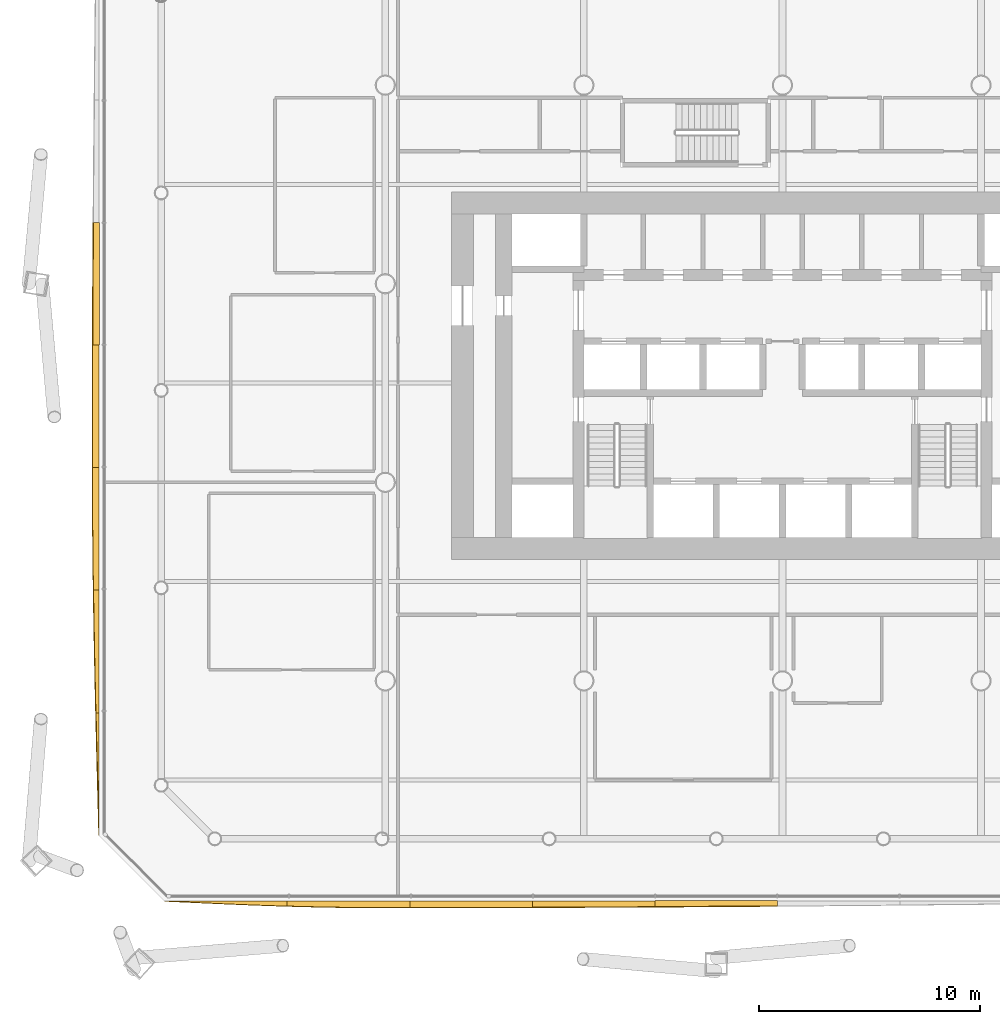
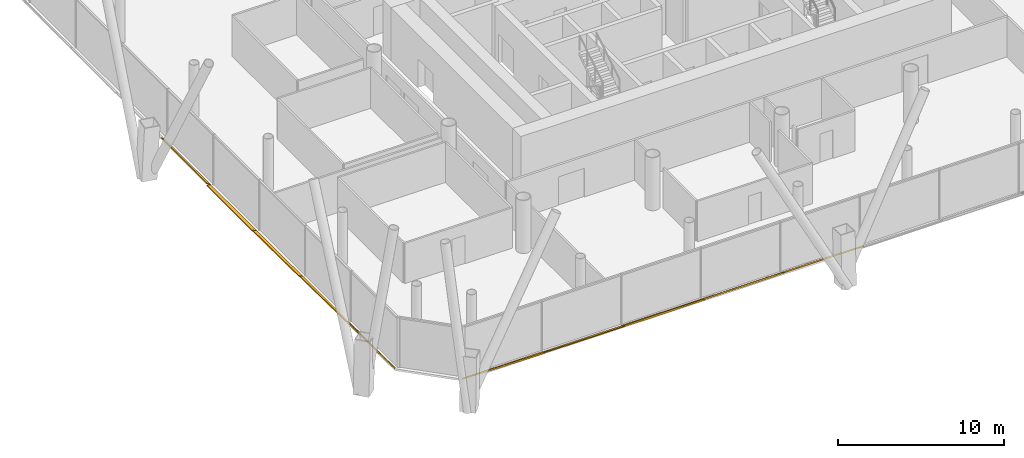
# One storey, part 21 of 25: 10 shading devices.
"""IFC4 building model written with IfcOpenShell, lengths in metres."""

import ifcopenshell
import ifcopenshell.guid

model = None  # the IFC model being written
_history = None  # IfcOwnerHistory: only IFC2X3 demands one
_inside = {}  # id of a spatial element -> (the spatial element, [elements in it])
_under = {}  # id of a project, library or spatial element -> (it, [spatial elements below it])
_declared = {}  # id of a project -> (the project, [libraries it declares])
_typed = {}  # id of a type object -> (the type object, [elements of that type])
_made_of = {}  # id of a material, layer set ... -> (it, [elements and type objects made of it])


def new_model(schema):
    """Start an empty IFC model of exactly this schema.

    Asked for "IFC4X3", IfcOpenShell would pick the latest addendum, in which some entities
    have other attributes; the version numbers below select the first issue.
    IFC2X3 requires an IfcOwnerHistory on every rooted entity: one is made here for all.
    """
    global model, _history
    if schema == "IFC4X3":
        model = ifcopenshell.file(schema_version=(4, 3, 0, 0))
    else:
        model = ifcopenshell.file(schema=schema)
    _inside.clear()
    _under.clear()
    _declared.clear()
    _typed.clear()
    _made_of.clear()
    _history = None
    if model.schema == "IFC2X3":
        org = make("IfcOrganization", Name="unknown")
        user = make(
            "IfcPersonAndOrganization",
            ThePerson=make("IfcPerson", FamilyName="unknown"),
            TheOrganization=org,
        )
        app = make(
            "IfcApplication",
            ApplicationDeveloper=org,
            Version="unknown",
            ApplicationFullName="unknown",
            ApplicationIdentifier="unknown",
        )
        _history = make(
            "IfcOwnerHistory",
            OwningUser=user,
            OwningApplication=app,
            ChangeAction="ADDED",
            CreationDate=0,
        )
    return model


def make(cls, **values):
    """One entity of the class cls with the attributes given. An attribute that is None is left unset."""
    return model.create_entity(
        cls, **{name: value for name, value in values.items() if value is not None}
    )


def rooted(cls, **values):
    """An entity with a GlobalId (a new one), such as an element, a storey or a relation."""
    return make(cls, GlobalId=ifcopenshell.guid.new(), OwnerHistory=_history, **values)


def si_unit(unit_type, name, prefix=None):
    """IfcSIUnit, for example si_unit("LENGTHUNIT", "METRE", prefix="MILLI")."""
    return make("IfcSIUnit", UnitType=unit_type, Prefix=prefix, Name=name)


def assignment(units):
    """IfcUnitAssignment: the units of a project."""
    return None if units is None else make("IfcUnitAssignment", Units=units)


def point(xyz):
    """IfcCartesianPoint."""
    return None if xyz is None else make("IfcCartesianPoint", Coordinates=xyz)


def direction(xyz):
    """IfcDirection."""
    return None if xyz is None else make("IfcDirection", DirectionRatios=xyz)


def frame(location, z_axis=None, x_axis=None):
    """IfcAxis2Placement3D, a coordinate frame: its origin and axes. An axis left out is left unset."""
    return make(
        "IfcAxis2Placement3D",
        Location=point(location),
        Axis=direction(z_axis),
        RefDirection=direction(x_axis),
    )


def origin():
    """The frame at (0, 0, 0) with its axes left unset."""
    return frame((0.0, 0.0, 0.0))


def place(relative_to, where):
    """IfcLocalPlacement: puts the frame where relative to a parent placement (None: the world)."""
    return make(
        "IfcLocalPlacement", PlacementRelTo=relative_to, RelativePlacement=where
    )


def context(
    kind, dimensions, precision=None, world=None, true_north=None, identifier=None
):
    """IfcGeometricRepresentationContext, for example the 3D "Model" context."""
    return make(
        "IfcGeometricRepresentationContext",
        ContextIdentifier=identifier,
        ContextType=kind,
        CoordinateSpaceDimension=dimensions,
        Precision=precision,
        WorldCoordinateSystem=world,
        TrueNorth=true_north,
    )


def subcontext(parent, identifier, kind, view, scale=None):
    """IfcGeometricRepresentationSubContext, for example "Body" below "Model"."""
    return make(
        "IfcGeometricRepresentationSubContext",
        ContextIdentifier=identifier,
        ContextType=kind,
        ParentContext=parent,
        TargetScale=scale,
        TargetView=view,
    )


def project(units=None, contexts=None):
    """IfcProject with its units and contexts."""
    return rooted(
        "IfcProject",
        Name="project",
        RepresentationContexts=contexts,
        UnitsInContext=assignment(units),
    )


def spatial(cls, under=None, at=None, **own):
    """A site, building, storey or space (cls), placed at a placement, below another one or the project."""
    s = rooted(cls, ObjectPlacement=at, **own)
    if under is not None:
        _under.setdefault(under.id(), (under, []))[1].append(s)
    return s


def polyline(points):
    """IfcPolyline through the points."""
    return make("IfcPolyline", Points=[point(p) for p in points])


def outline(outer, holes=None, kind="AREA"):
    """IfcArbitraryClosedProfileDef: a profile drawn as a closed curve; with holes, ...WithVoids."""
    if holes is None:
        return make("IfcArbitraryClosedProfileDef", ProfileType=kind, OuterCurve=outer)
    return make(
        "IfcArbitraryProfileDefWithVoids",
        ProfileType=kind,
        OuterCurve=outer,
        InnerCurves=holes,
    )


def extrude(swept, where, along, depth):
    """IfcExtrudedAreaSolid: the profile swept, set in the frame where, extruded along a direction by depth."""
    return make(
        "IfcExtrudedAreaSolid",
        SweptArea=swept,
        Position=where,
        ExtrudedDirection=direction(along),
        Depth=depth,
    )


def shape(context_of_items, identifier, shape_type, items):
    """IfcShapeRepresentation: the items that make up one representation, for example the "Body"."""
    return make(
        "IfcShapeRepresentation",
        ContextOfItems=context_of_items,
        RepresentationIdentifier=identifier,
        RepresentationType=shape_type,
        Items=items,
    )


def material(Name=None, Category=None):
    """IfcMaterial."""
    return make("IfcMaterial", Name=Name, Category=Category)


def layer(
    of_material, thickness, ventilated=None, Name=None, Category=None, Priority=None
):
    """IfcMaterialLayer: one layer of a wall or slab, of a material (None: an air gap)."""
    return make(
        "IfcMaterialLayer",
        Material=of_material,
        LayerThickness=thickness,
        IsVentilated=ventilated,
        Name=Name,
        Category=Category,
        Priority=Priority,
    )


def layer_set(layers, Name=None):
    """IfcMaterialLayerSet."""
    return make("IfcMaterialLayerSet", MaterialLayers=layers, LayerSetName=Name)


def made_of(thing, what):
    """Note that an element or type object is made of a material, layer set ...; save() writes the relation."""
    if what is not None:
        _made_of.setdefault(what.id(), (what, []))[1].append(thing)
    return thing


def type_object(cls, material=None, **own):
    """A type object (cls), such as IfcWallType, which elements share."""
    return made_of(rooted(cls, **own), material)


def element(
    cls,
    number,
    at=None,
    inside=None,
    cuts=None,
    type_object=None,
    material=None,
    context=None,
    identifier="Body",
    shape_type=None,
    held_by="IfcProductDefinitionShape",
    body=None,
    shapes=None,
    **own,
):
    """One element of the class cls, such as IfcWall. Its Tag is "e" and its number.

    at: its placement. inside: the storey or other place that contains it. cuts: it is an
    opening in that element (IfcRelVoidsElement). A single representation is given by context,
    identifier, shape_type and body (its items); several are given by shapes. held_by: the class
    of the entity that holds the representations. save() writes the other relations.
    """
    e = rooted(cls, Tag="e%d" % number, ObjectPlacement=at, **own)
    if body is not None:
        shapes = [shape(context, identifier, shape_type, body)]
    if shapes is not None:
        e.Representation = make(held_by, Representations=shapes)
    if inside is not None:
        _inside.setdefault(inside.id(), (inside, []))[1].append(e)
    if cuts is not None:
        rooted(
            "IfcRelVoidsElement", RelatingBuildingElement=cuts, RelatedOpeningElement=e
        )
    if type_object is not None:
        _typed.setdefault(type_object.id(), (type_object, []))[1].append(e)
    return made_of(e, material)


def aggregate(whole, parts):
    """IfcRelAggregates: a whole, such as a stair, and the parts it consists of."""
    return rooted("IfcRelAggregates", RelatingObject=whole, RelatedObjects=parts)


def save(model, path):
    """Write the relations noted so far, then the file.

    IfcRelAggregates (storeys below a building ...), IfcRelContainedInSpatialStructure (elements
    in a storey), IfcRelDefinesByType, IfcRelAssociatesMaterial and IfcRelDeclares: one each for
    every whole, place, type object, material and project.
    """
    for whole, parts in _under.values():
        aggregate(whole, parts)
    for where, things in _inside.values():
        rooted(
            "IfcRelContainedInSpatialStructure",
            RelatedElements=things,
            RelatingStructure=where,
        )
    for kind, things in _typed.values():
        rooted("IfcRelDefinesByType", RelatedObjects=things, RelatingType=kind)
    for what, things in _made_of.values():
        rooted("IfcRelAssociatesMaterial", RelatedObjects=things, RelatingMaterial=what)
    for by, libraries in _declared.values():
        rooted("IfcRelDeclares", RelatingContext=by, RelatedDefinitions=libraries)
    model.write(path)


model = new_model("IFC4")

# Units and contexts
model_context = context("Model", 3, precision=1e-05, world=origin(), true_north=direction((0.0, 1.0)))
body_context = subcontext(model_context, "Body", "Model", "MODEL_VIEW")
ifc_project = project(units=[si_unit("LENGTHUNIT", "METRE"), si_unit("AREAUNIT", "SQUARE_METRE"), si_unit("VOLUMEUNIT", "CUBIC_METRE"), si_unit("PLANEANGLEUNIT", "RADIAN"), si_unit("MASSUNIT", "GRAM", prefix="KILO")], contexts=[model_context])

# Site, building, storey
site_placement = place(None, origin())
site = spatial("IfcSite", under=ifc_project, at=site_placement, CompositionType="ELEMENT")
building_placement = place(site_placement, origin())
building = spatial("IfcBuilding", under=site, at=building_placement, Name="Tskaro Facet Tower", CompositionType="ELEMENT")
storey_placement = place(building_placement, frame((0.0, 0.0, 10.800048828125)))
storey = spatial("IfcBuildingStorey", under=building, at=storey_placement, Name="L01", CompositionType="ELEMENT", Elevation=10.800048828125)

# Shading devices
ifc_material = material(Name="Bronze anodised aluminium 6063-T6", Category="aluminium")
ifc_layer = layer(ifc_material, 0.06005859375, Name="Bronze anodised aluminium 6063-T6")
ifc_layer_set = layer_set([ifc_layer], Name="Bronze anodised aluminium 6063-T6")
shading_device_type = type_object("IfcShadingDeviceType", Name="Bronze sun blade (FN1)", PredefinedType="USERDEFINED", material=ifc_layer_set)
shading_device_1_placement = place(storey_placement, frame((-28.0, -27.9794921875, 0.056396484375), z_axis=(1.0520657e-05, 0.341818146744, 0.939766116885), x_axis=(0.999999999945, -3.596151e-06, -9.886957e-06)))
element("IfcShadingDevice", 1, at=shading_device_1_placement, inside=storey, type_object=shading_device_type, Name="Fin blade south 1", ObjectType="FIN", PredefinedType="USERDEFINED", context=body_context, shape_type="SweptSolid", body=[
    extrude(outline(polyline([(0.0, 0.0), (5.555664062192538, -2.3529152524070872e-21), (5.555664062836887, -0.24443889702905125), (4.861083984511019, -0.2208063981314736), (4.166748046807735, -0.19431630649137574), (3.472167967819189, -0.16551094397903052), (2.777832030551286, -0.13484918076872376), (2.083251952218212, -0.10264390364358543), (1.3889160149479067, -0.06912454769075843), (0.6943359392463306, -0.03474998308452858), (0.0, 0.0)])), origin(), (0.0, 0.0, -1.0), 0.06005859375),
])
shading_device_2_placement = place(storey_placement, frame((-22.4443359375, -27.974609375, 0.054443359375), z_axis=(-3.827317e-06, 0.422302363537, 0.906455025766), x_axis=(0.999999999993, 1.616285e-06, 3.469291e-06)))
element("IfcShadingDevice", 2, at=shading_device_2_placement, inside=storey, type_object=shading_device_type, Name="Fin blade south 2", ObjectType="FIN", PredefinedType="USERDEFINED", context=body_context, shape_type="SweptSolid", body=[
    extrude(outline(polyline([(0.0, 0.0), (5.555419921834312, 0.0), (5.555419921745517, -0.3307333309554974), (4.861083983856001, -0.33095463345202386), (4.444335937831049, -0.3310577346149976), (4.166503906130689, -0.3307333309554974), (3.472167968683617, -0.3272377915228107), (2.777587890601595, -0.31970100650141065), (2.083251953587014, -0.3084473795507974), (1.3886718751482825, -0.2935951120045237), (0.6943359373823906, -0.2752473050255633), (-3.3565910781336214e-10, -0.2534039586139163), (0.0, 0.0)])), origin(), (0.0, 0.0, -1.0), 0.06005859375),
])
shading_device_3_placement = place(storey_placement, frame((-16.888916015625, -27.969970703125, 0.052001953125), z_axis=(-1.2842039e-05, 0.499842286602, 0.866116440417), x_axis=(0.999999999918, 6.418994e-06, 1.1122701e-05)))
element("IfcShadingDevice", 3, at=shading_device_3_placement, inside=storey, type_object=shading_device_type, Name="Fin blade south 3", ObjectType="FIN", PredefinedType="USERDEFINED", context=body_context, shape_type="SweptSolid", body=[
    extrude(outline(polyline([(0.0, 0.0), (5.555664062041886, 4.7058305048141744e-21), (5.555664061969672, -0.3345879348656344), (4.861083984942366, -0.33688972757977464), (4.1667480458245345, -0.33906948848565244), (3.472167969215998, -0.34082634097332326), (2.777832030516938, -0.34246116165273166), (2.0832519543271735, -0.343673073913933), (1.388916016046885, -0.3447629543668719), (0.6945800766182307, -0.34551934880244484), (-1.868266274263987e-09, -0.3460642890289143), (0.0, 0.0)])), origin(), (0.0, 0.0, -1.0), 0.06005859375),
])
shading_device_4_placement = place(storey_placement, frame((-11.333251953125, -27.965576171875, 0.049072265625), z_axis=(8.81878e-07, 0.573615656885, 0.819124580376), x_axis=(1.0, -5.05859e-07, -7.22368e-07)))
element("IfcShadingDevice", 4, at=shading_device_4_placement, inside=storey, type_object=shading_device_type, Name="Fin blade south 4", ObjectType="FIN", PredefinedType="USERDEFINED", context=body_context, shape_type="SweptSolid", body=[
    extrude(outline(polyline([(0.0, 0.0), (5.55541992187284, -2.9410148185381476e-22), (5.555419921926453, -0.3248326510774534), (4.861083984339281, -0.3293728466173404), (4.166503906179968, -0.33357301768523984), (3.4721679688220135, -0.3376331458681575), (2.7775878905920584, -0.3412933108770635), (2.083251953163462, -0.3448134330009877), (1.3889160156113654, -0.3481335735379061), (0.6943359374871273, -0.35111368960283684), (4.0747787597732844e-11, -0.35375378119578), (0.0, 0.0)])), origin(), (0.0, 0.0, -1.0), 0.06005859375),
])
shading_device_5_placement = place(storey_placement, frame((-5.77783203125, -27.96142578125, 0.0458984375), z_axis=(8.25359e-07, 0.642762531021, 0.766065485918), x_axis=(1.0, -5.3051e-07, -6.32279e-07)))
element("IfcShadingDevice", 5, at=shading_device_5_placement, inside=storey, type_object=shading_device_type, Name="Fin blade south 5", ObjectType="FIN", PredefinedType="USERDEFINED", context=body_context, shape_type="SweptSolid", body=[
    extrude(outline(polyline([(0.0, 0.0), (5.555664062498107, 2.941144065508859e-22), (5.555664062427139, -0.2999633842177382), (4.8610839843732245, -0.30690263379014643), (4.166748046839636, -0.31331090350345847), (3.4721679688354126, -0.3195622487707205), (2.77783203132667, -0.32562656633145937), (2.0834960936884084, -0.33150385618567524), (1.3889160156043583, -0.3368802694412679), (0.6945800781453078, -0.34225668269686066), (-6.82615507601368e-11, -0.3474460682459303), (0.0, 0.0)])), origin(), (0.0, 0.0, -1.0), 0.06005859375),
])
shading_device_6_placement = place(storey_placement, frame((-30.96142578125, 2.77783203125, 0.0458984375), z_axis=(0.642758693253, -1.9265185e-05, 0.766068705716), x_axis=(-1.2382865e-05, -0.999999999814, -1.4758455e-05)))
element("IfcShadingDevice", 6, at=shading_device_6_placement, inside=storey, type_object=shading_device_type, Name="Fin blade west 5", ObjectType="FIN", PredefinedType="USERDEFINED", context=body_context, shape_type="SweptSolid", body=[
    extrude(outline(polyline([(0.0, 0.0), (5.555664061469015, 0.0), (5.555664062640989, -0.38142430885188794), (4.861083983238389, -0.378298635852485), (4.16674804864386, -0.3746720873421929), (3.472167967378055, -0.3706714818466187), (2.777832030920322, -0.36617000084015533), (2.0834960950425665, -0.3613245678319269), (1.3889160160966738, -0.3559481543292923), (0.6945800747525757, -0.3503847123340166), (-3.033360617450709e-09, -0.3443203948278517), (0.0, 0.0)])), origin(), (0.0, 0.0, -1.0), 0.06005859375),
])
shading_device_7_placement = place(storey_placement, frame((-30.9794921875, -2.77783203125, 0.056396484375), z_axis=(0.341813446697, 1.6831153e-05, 0.939767826313), x_axis=(5.753114e-06, -0.999999999858, 1.5817376e-05)))
element("IfcShadingDevice", 7, at=shading_device_7_placement, inside=storey, type_object=shading_device_type, Name="Fin blade west 6", ObjectType="FIN", PredefinedType="USERDEFINED", context=body_context, shape_type="SweptSolid", body=[
    extrude(outline(polyline([(0.0, 0.0), (5.5554199210881094, 0.0), (5.555419922793326, -0.31827743765757915), (4.861083983635062, -0.31927863022411507), (4.722167968029739, -0.31927863022411507), (4.166503907013014, -0.3190491947196116), (3.4721679671542667, -0.3187363086665862), (2.777832031509227, -0.31773511610005023), (2.083251951377557, -0.3166504729849923), (1.3889160146799915, -0.3151069588609274), (0.6943359387620288, -0.313334009232359), (-1.4451584695169418e-09, -0.3109352874977397), (0.0, 0.0)])), origin(), (0.0, 0.0, -1.0), 0.06005859375),
])
shading_device_8_placement = place(storey_placement, frame((-30.974609375, -8.333251953125, 0.054443359375), z_axis=(0.422266404118, 7.08551e-06, 0.906471777775), x_axis=(2.991973e-06, -0.999999999975, 6.422815e-06)))
element("IfcShadingDevice", 8, at=shading_device_8_placement, inside=storey, type_object=shading_device_type, Name="Fin blade west 7", ObjectType="FIN", PredefinedType="USERDEFINED", context=body_context, shape_type="SweptSolid", body=[
    extrude(outline(polyline([(0.0, 0.0), (5.55566406236054, 2.3529152524070872e-21), (5.55566406276532, -0.2779758337581574), (4.861083983664532, -0.28868376012198443), (4.1667480472729785, -0.2981820611701087), (3.4724121090990625, -0.30648585872126566), (2.777832031653931, -0.3138013375430963), (2.0834960937818945, -0.3197010062815832), (1.3889160150705722, -0.32450926390692336), (0.6945800782308763, -0.32778349724636374), (-1.7856719842750864e-10, -0.3301876260590338), (0.0, 0.0)])), origin(), (0.0, 0.0, -1.0), 0.06005859375),
])
shading_device_9_placement = place(storey_placement, frame((-30.969970703125, -13.888916015625, 0.052001953125), z_axis=(0.499737570122, -1.7424229e-05, 0.866176864563), x_axis=(-8.707542e-06, -0.999999999848, -1.5092464e-05)))
element("IfcShadingDevice", 9, at=shading_device_9_placement, inside=storey, type_object=shading_device_type, Name="Fin blade west 8", ObjectType="FIN", PredefinedType="USERDEFINED", context=body_context, shape_type="SweptSolid", body=[
    extrude(outline(polyline([(0.0, 0.0), (5.555419921031677, 0.0), (5.555419921932386, -0.1657038654144759), (4.861083984826882, -0.1842970540710638), (4.166748045028466, -0.2021338296016062), (3.472167967722726, -0.21930365472448604), (2.7778320320337224, -0.23559506047859619), (2.08325195090098, -0.2509185841455537), (1.3889160150696573, -0.2652416822010174), (0.6943359396051447, -0.27868636088771137), (-2.179044964645123e-09, -0.2909516885261456), (0.0, 0.0)])), origin(), (0.0, 0.0, -1.0), 0.06005859375),
])
shading_device_10_placement = place(storey_placement, frame((-30.965576171875, -19.4443359375, 0.049072265625), z_axis=(0.573691371915, -5.578896e-06, 0.819071553503), x_axis=(-3.200564e-06, -0.999999999984, -4.569515e-06)))
element("IfcShadingDevice", 10, at=shading_device_10_placement, inside=storey, type_object=shading_device_type, Name="Fin blade west 9", ObjectType="FIN", PredefinedType="USERDEFINED", context=body_context, shape_type="SweptSolid", body=[
    extrude(outline(polyline([(0.0, 0.0), (5.555664062413543, 2.3529152524070872e-21), (4.86132812484858, -0.0229608993419599), (4.166748046992838, -0.045581768672825894), (3.4724121089807047, -0.06800266936269672), (2.777832031459179, -0.0902835086824688), (2.0834960937812617, -0.11236437936124571), (1.3889160161467808, -0.13376519001783482), (0.6945800775745207, -0.1547660633924336), (-1.7291493529347927e-10, -0.1752868453858397), (0.0, 0.0)])), origin(), (0.0, 0.0, -1.0), 0.06005859375),
])

save(model, "model.ifc")
